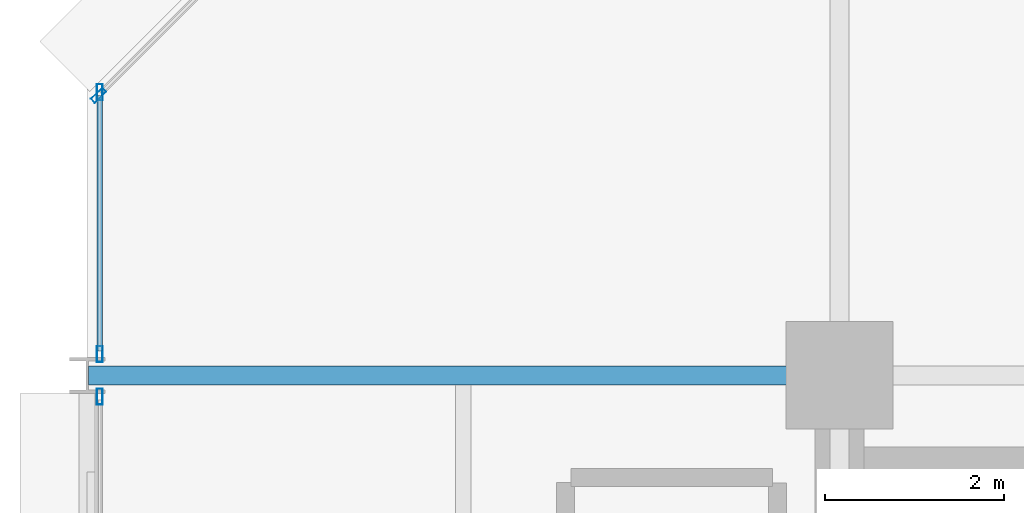
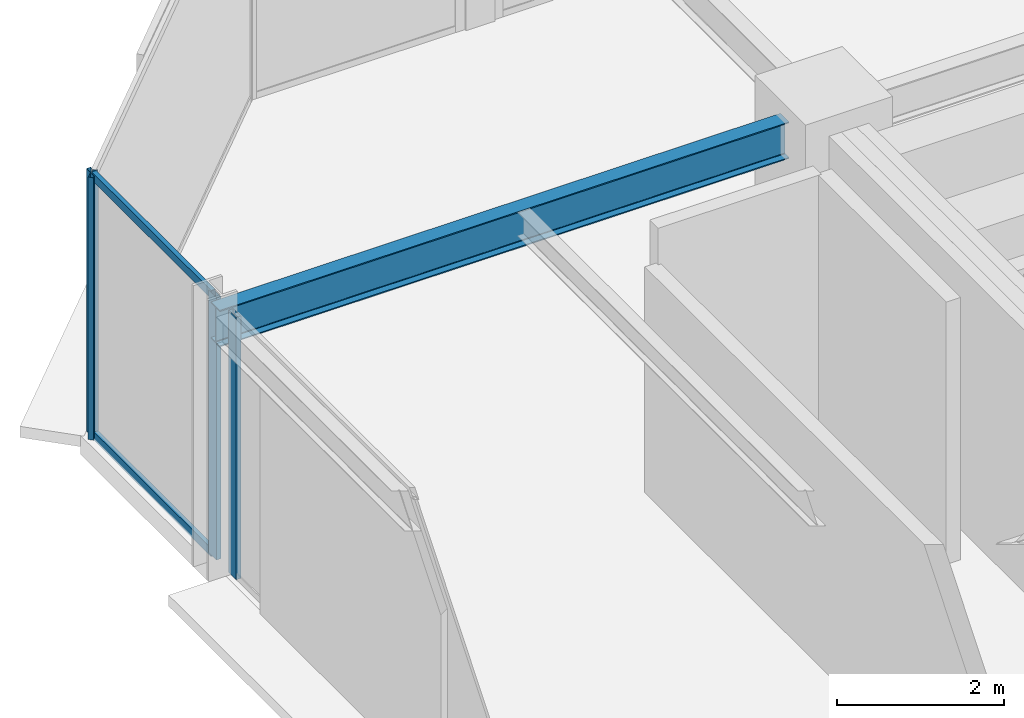
# One storey, part 18 of 30: 6 members, 1 beam, 3 elements without a shape of their own.
"""IFC4 building model written with IfcOpenShell, lengths in metres."""

from ifc_helpers import new_model, si_unit, direction, frame, origin, origin_2d, place, context, subcontext, project, spatial, hollow_rectangle, i_section, extrude, material, layer, layer_set, material_profile, profile_set, type_object, element, aggregate, save


model = new_model("IFC4")

# Units and contexts
model_context = context("Model", 3, precision=1e-05, world=origin(), true_north=direction((0.0, 1.0)))
body_context = subcontext(model_context, "Body", "Model", "MODEL_VIEW")
ifc_project = project(units=[si_unit("LENGTHUNIT", "METRE"), si_unit("AREAUNIT", "SQUARE_METRE"), si_unit("VOLUMEUNIT", "CUBIC_METRE"), si_unit("PLANEANGLEUNIT", "RADIAN"), si_unit("MASSUNIT", "GRAM", prefix="KILO")], contexts=[model_context])

# Site, building, storey
site_placement = place(None, origin())
site = spatial("IfcSite", under=ifc_project, at=site_placement, CompositionType="ELEMENT")
building_placement = place(site_placement, origin())
building = spatial("IfcBuilding", under=site, at=building_placement, Name="Nerrivon Quay Data Exchange", CompositionType="ELEMENT")
storey_placement = place(building_placement, frame((0.0, 0.0, 141.800048828125)))
storey = spatial("IfcBuildingStorey", under=building, at=storey_placement, Name="L33", CompositionType="ELEMENT", Elevation=141.800048828125)

# Beam
ifc_material_1 = material(Name="Steel Grade 350", Category="steel")
ifc_material_profile_1 = material_profile(ifc_material_1, i_section(OverallWidth=0.208984375, OverallDepth=0.532958984375, WebThickness=0.01025390625, FlangeThickness=0.015625, FilletRadius=0.013916015625, at=origin_2d()), Name="530UB92.4")
ifc_profile_set_1 = profile_set([ifc_material_profile_1], Name="Steel Grade 350")
beam_type = type_object("IfcBeamType", Name="BM-G3-530UB92", PredefinedType="BEAM", material=ifc_profile_set_1)
beam_placement = place(storey_placement, frame((0.012451171875, 42.0, 3.558349609375), z_axis=(1.0, 0.0, 0.0), x_axis=(0.0, 1.0, 0.0)))
element("IfcBeam", 1, at=beam_placement, inside=storey, type_object=beam_type, Name="L33 EW Girder Y=42.0 (0.0..8.4)", PredefinedType="BEAM", context=body_context, shape_type="SweptSolid", body=[
    extrude(i_section(OverallWidth=0.208984375, OverallDepth=0.532958984375, WebThickness=0.01025390625, FlangeThickness=0.015625, FilletRadius=0.013916015625, at=origin_2d()), origin(), (0.0, 0.0, 1.0), 7.84765625),
])

# Curtain wall, member
ifc_material_2 = material(Name="Anodised aluminium 6063-T6", Category="aluminium")
ifc_layer = layer(ifc_material_2, 0.2099609375)
ifc_layer_set = layer_set([ifc_layer], Name="Anodised aluminium 6063-T6")
curtain_wall_type = type_object("IfcCurtainWallType", Name="CW-SYS-02", PredefinedType="NOTDEFINED", material=ifc_layer_set)
curtain_wall_1_placement = place(storey_placement, origin())
curtain_wall_1 = element("IfcCurtainWall", 2, at=curtain_wall_1_placement, inside=storey, type_object=curtain_wall_type, Name="L33 Unitised Curtain Wall 15", PredefinedType="NOTDEFINED")
ifc_material_profile_2 = material_profile(ifc_material_2, hollow_rectangle(XDim=0.06494140625, YDim=0.179931640625, WallThickness=0.00341796875, at=origin_2d()), Name="ALU-MULL-180x65")
ifc_profile_set_2 = profile_set([ifc_material_profile_2], Name="Anodised aluminium 6063-T6")
member_type_1 = type_object("IfcMemberType", Name="CWM-180x65", PredefinedType="MULLION", material=ifc_profile_set_2)
member_1_placement = place(storey_placement, frame((0.139892578125, 41.762451171875, 0.0), z_axis=(0.0, 0.0, 1.0), x_axis=(-1.0, 0.0, 0.0)))
member_1 = element("IfcMember", 3, at=member_1_placement, type_object=member_type_1, Name="CW02 mullion 2", PredefinedType="MULLION", context=body_context, shape_type="SweptSolid", body=[
    extrude(hollow_rectangle(XDim=0.06494140625, YDim=0.179931640625, WallThickness=0.00341796875, at=origin_2d()), origin(), (0.0, 0.0, 1.0), 3.824951171875),
])
aggregate(curtain_wall_1, [member_1])

# Curtain wall, members
curtain_wall_2_placement = place(storey_placement, origin())
curtain_wall_2 = element("IfcCurtainWall", 4, at=curtain_wall_2_placement, inside=storey, type_object=curtain_wall_type, Name="L33 Unitised Curtain Wall 16", PredefinedType="NOTDEFINED")
member_2_placement = place(storey_placement, frame((0.139892578125, 42.237548828125, 0.0), z_axis=(0.0, 0.0, 1.0), x_axis=(-1.0, 0.0, 0.0)))
member_2 = element("IfcMember", 5, at=member_2_placement, type_object=member_type_1, Name="CW02 mullion 1", PredefinedType="MULLION", context=body_context, shape_type="SweptSolid", body=[
    extrude(hollow_rectangle(XDim=0.06494140625, YDim=0.179931640625, WallThickness=0.00341796875, at=origin_2d()), origin(), (0.0, 0.0, 1.0), 3.824951171875),
])
member_3_placement = place(storey_placement, frame((0.139892578125, 45.16259765625, 0.0), z_axis=(0.0, 0.0, 1.0), x_axis=(-1.0, 0.0, 0.0)))
member_3 = element("IfcMember", 6, at=member_3_placement, type_object=member_type_1, Name="CW02 mullion 2", PredefinedType="MULLION", context=body_context, shape_type="SweptSolid", body=[
    extrude(hollow_rectangle(XDim=0.06494140625, YDim=0.179931640625, WallThickness=0.00341796875, at=origin_2d()), origin(), (0.0, 0.0, 1.0), 3.824951171875),
])

# Curtain wall, member
curtain_wall_3_placement = place(storey_placement, origin())
curtain_wall_3 = element("IfcCurtainWall", 7, at=curtain_wall_3_placement, inside=storey, type_object=curtain_wall_type, Name="L33 Unitised Curtain Wall 17", PredefinedType="NOTDEFINED")
member_4_placement = place(storey_placement, frame((0.12548828125, 45.12744140625, 0.0), z_axis=(0.0, 0.0, 1.0), x_axis=(-0.707106781187, 0.707106781187, 0.0)))
member_4 = element("IfcMember", 8, at=member_4_placement, type_object=member_type_1, Name="CW02 mullion 1", PredefinedType="MULLION", context=body_context, shape_type="SweptSolid", body=[
    extrude(hollow_rectangle(XDim=0.06494140625, YDim=0.179931640625, WallThickness=0.00341796875, at=origin_2d()), origin(), (0.0, 0.0, 1.0), 3.824951171875),
])
aggregate(curtain_wall_3, [member_4])

# Member
ifc_material_profile_3 = material_profile(ifc_material_2, hollow_rectangle(XDim=0.06005859375, YDim=0.1201171875, WallThickness=0.003173828125, at=origin_2d()), Name="ALU-TRAN-120x60")
ifc_profile_set_3 = profile_set([ifc_material_profile_3], Name="Anodised aluminium 6063-T6")
member_type_2 = type_object("IfcMemberType", Name="CWT-120x60", PredefinedType="USERDEFINED", material=ifc_profile_set_3)
member_5_placement = place(storey_placement, frame((0.139892578125, 42.27490234375, 0.032470703125), z_axis=(0.0, 1.0, 0.0), x_axis=(-1.0, 0.0, 0.0)))
member_5 = element("IfcMember", 9, at=member_5_placement, type_object=member_type_2, Name="CW02 transom 1.1", ObjectType="TRANSOM", PredefinedType="USERDEFINED", context=body_context, shape_type="SweptSolid", body=[
    extrude(hollow_rectangle(XDim=0.06005859375, YDim=0.1201171875, WallThickness=0.003173828125, at=origin_2d()), origin(), (0.0, 0.0, 1.0), 2.85009765625),
])

member_6_placement = place(storey_placement, frame((0.139892578125, 42.27490234375, 3.79248046875), z_axis=(0.0, 1.0, 0.0), x_axis=(-1.0, 0.0, 0.0)))
member_6 = element("IfcMember", 10, at=member_6_placement, type_object=member_type_2, Name="CW02 transom 1.2", ObjectType="TRANSOM", PredefinedType="USERDEFINED", context=body_context, shape_type="SweptSolid", body=[
    extrude(hollow_rectangle(XDim=0.06005859375, YDim=0.1201171875, WallThickness=0.003173828125, at=origin_2d()), origin(), (0.0, 0.0, 1.0), 2.85009765625),
])

aggregate(curtain_wall_2, [member_2, member_3, member_5, member_6])

save(model, "model.ifc")
